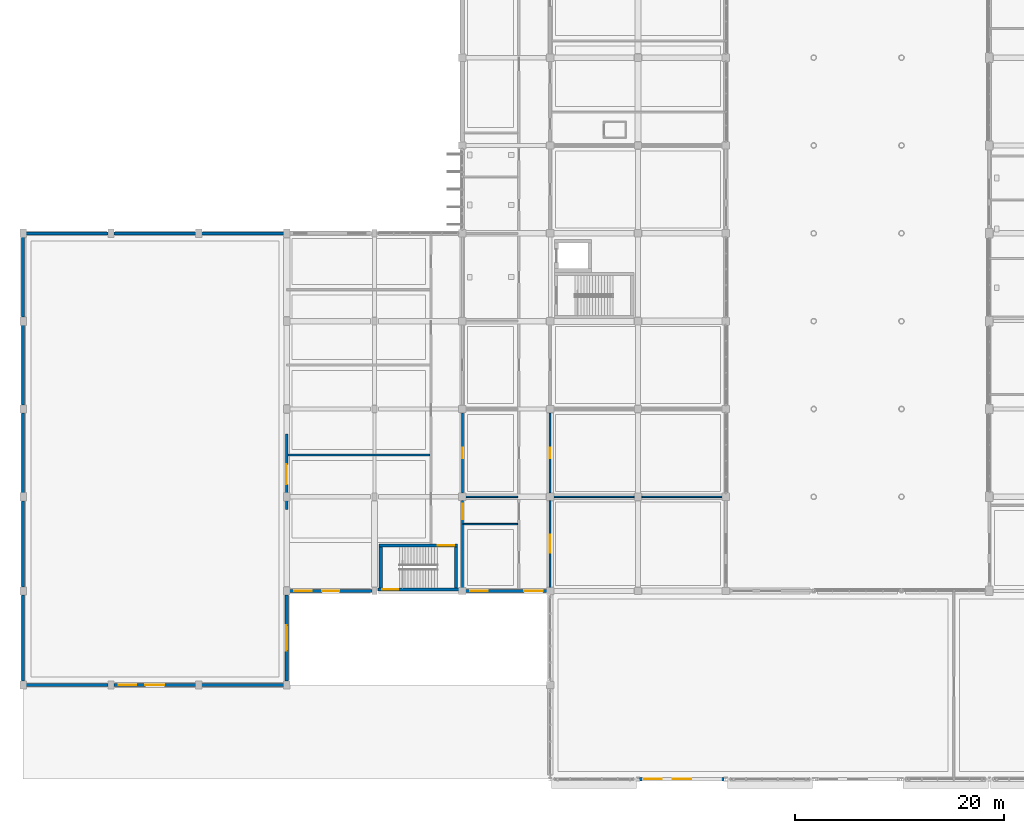
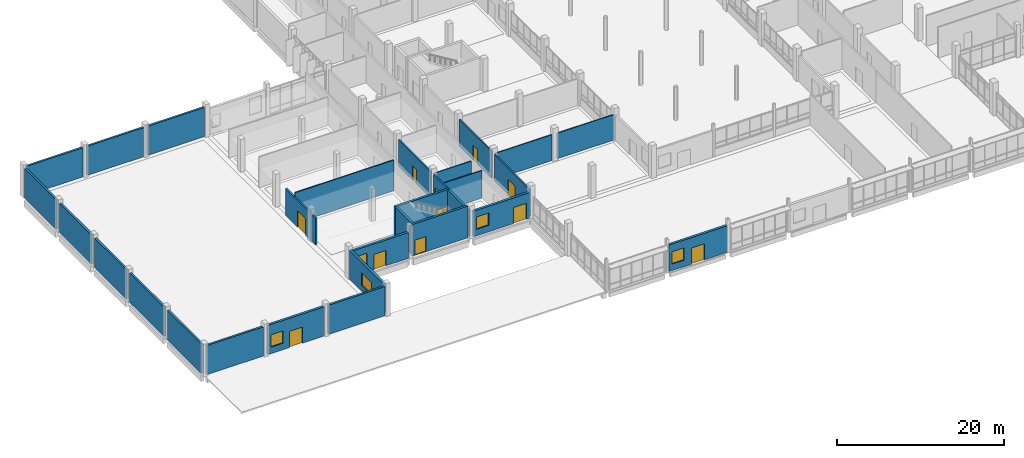
# One storey, part 74 of 95: 29 walls, 11 doors, 5 windows, 16 openings.
"""IFC4 building model written with IfcOpenShell, lengths in metres."""

from ifc_helpers import new_model, si_unit, direction, frame, frame_2d, origin, place, context, subcontext, project, spatial, rectangle, extrude, material, layer, layer_set, type_object, element, fill, save


model = new_model("IFC4")

# Units and contexts
model_context = context("Model", 3, precision=1e-05, world=origin(), true_north=direction((0.0, 1.0)))
body_context = subcontext(model_context, "Body", "Model", "MODEL_VIEW")
ifc_project = project(units=[si_unit("LENGTHUNIT", "METRE"), si_unit("AREAUNIT", "SQUARE_METRE"), si_unit("VOLUMEUNIT", "CUBIC_METRE"), si_unit("PLANEANGLEUNIT", "RADIAN"), si_unit("MASSUNIT", "GRAM", prefix="KILO")], contexts=[model_context])

# Site, building, storey
site_placement = place(None, origin())
site = spatial("IfcSite", under=ifc_project, at=site_placement, CompositionType="ELEMENT")
building_placement = place(site_placement, origin())
building = spatial("IfcBuilding", under=site, at=building_placement, Name="Vireocrest Preparatory School", CompositionType="ELEMENT")
storey_placement = place(building_placement, origin())
storey = spatial("IfcBuildingStorey", under=building, at=storey_placement, Name="L00", CompositionType="ELEMENT", Elevation=0.0)

# Walls
ifc_material_1 = material(Name="Gypsum board on cold-formed steel studs", Category="steel")
ifc_layer_1 = layer(ifc_material_1, 0.139892578125)
ifc_layer_set_1 = layer_set([ifc_layer_1], Name="Gypsum board on cold-formed steel studs")
wall_type_1 = type_object("IfcWallType", Name="Classroom Acoustic Partition Wall 140", PredefinedType="PARTITIONING", material=ifc_layer_set_1)
wall_1_placement = place(storey_placement, frame((42.10498046875, 24.39990234375, 0.0), z_axis=(0.0, 0.0, 1.0), x_axis=(1.0, 0.0, 0.0)))
element("IfcWall", 1, at=wall_1_placement, inside=storey, type_object=wall_type_1, Name="Interior Partition W03 IW_L00_0038", PredefinedType="PARTITIONING", context=body_context, shape_type="SweptSolid", body=[
    extrude(rectangle(XDim=5.18994140625, YDim=0.139892578125, at=frame_2d((2.594970703125, 0.0))), origin(), (0.0, 0.0, 1.0), 4.030029296875),
])
wall_2_placement = place(storey_placement, frame((42.10498046875, 27.0, 0.0), z_axis=(0.0, 0.0, 1.0), x_axis=(1.0, 0.0, 0.0)))
element("IfcWall", 2, at=wall_2_placement, inside=storey, type_object=wall_type_1, Name="Interior Partition W03 IW_L00_0039", PredefinedType="PARTITIONING", context=body_context, shape_type="SweptSolid", body=[
    extrude(rectangle(XDim=5.18994140625, YDim=0.139892578125, at=frame_2d((2.594970703125, 0.0))), origin(), (0.0, 0.0, 1.0), 3.830078125),
])
wall_3_placement = place(storey_placement, frame((50.5048828125, 27.0, 0.0), z_axis=(0.0, 0.0, 1.0), x_axis=(1.0, 0.0, 0.0)))
element("IfcWall", 3, at=wall_3_placement, inside=storey, type_object=wall_type_1, Name="Interior Partition W03 IW_L00_0051", PredefinedType="PARTITIONING", context=body_context, shape_type="SweptSolid", body=[
    extrude(rectangle(XDim=7.93505859375, YDim=0.139892578125, at=frame_2d((3.967529296875, 0.0))), origin(), (0.0, 0.0, 1.0), 3.780029296875),
])
wall_4_placement = place(storey_placement, frame((59.159912109375, 27.0, 0.0), z_axis=(0.0, 0.0, 1.0), x_axis=(1.0, 0.0, 0.0)))
element("IfcWall", 4, at=wall_4_placement, inside=storey, type_object=wall_type_1, Name="Interior Partition W03 IW_L00_0052", PredefinedType="PARTITIONING", context=body_context, shape_type="SweptSolid", body=[
    extrude(rectangle(XDim=7.9150390625, YDim=0.139892578125, at=frame_2d((3.95751953125, 0.0))), origin(), (0.0, 0.0, 1.0), 3.72998046875),
])

# Wall, opening, door
ifc_layer_2 = layer(ifc_material_1, 0.199951171875)
ifc_layer_set_2 = layer_set([ifc_layer_2], Name="Gypsum board on cold-formed steel studs")
wall_type_2 = type_object("IfcWallType", Name="Corridor One-Hour Fire Partition 200", PredefinedType="PARTITIONING", material=ifc_layer_set_2)
wall_5_placement = place(storey_placement, frame((42.0, 18.1650390625, 0.0), z_axis=(0.0, 0.0, 1.0), x_axis=(0.0, 1.0, 0.0)))
wall_5 = element("IfcWall", 5, at=wall_5_placement, inside=storey, type_object=wall_type_2, Name="Interior Partition W06 IW_L00_0047", PredefinedType="PARTITIONING", context=body_context, shape_type="SweptSolid", body=[
    extrude(rectangle(XDim=8.474853515625, YDim=0.199951171875, at=frame_2d((4.2373046875, 0.0))), origin(), (0.0, 0.0, 1.0), 3.8720703125),
])
opening_1_placement = place(wall_5_placement, frame((6.68505859375, 0.0, 0.0)))
opening_1 = element("IfcOpeningElement", 6, at=opening_1_placement, cuts=wall_5, Name="Opening D-L00-G6C", PredefinedType="OPENING", context=body_context, shape_type="SweptSolid", body=[
    extrude(rectangle(XDim=1.5, YDim=2.199951171875, at=frame_2d((0.75, 1.10009765625))), frame((0.0, 0.10986328125, 0.0), z_axis=(0.0, -1.0, 0.0), x_axis=(1.0, 0.0, 0.0)), (0.0, 0.0, 1.0), 0.219970703125),
])
ifc_material_2 = material(Name="Painted galvanized hollow steel", Category="steel")
door_type_1 = type_object("IfcDoorType", Name="Stair Enclosure Fire Door 1500x2200", OperationType="DOUBLE_DOOR_SINGLE_SWING", PredefinedType="DOOR", material=ifc_material_2)
door_1_placement = place(opening_1_placement, origin())
door_1 = element("IfcDoor", 7, at=door_1_placement, inside=storey, type_object=door_type_1, Name="Interior Door D-L00-G6C", OperationType="DOUBLE_DOOR_SINGLE_SWING", OverallHeight=2.199951171875, OverallWidth=1.5, PredefinedType="DOOR", context=body_context, shape_type="SweptSolid", body=[
    extrude(rectangle(XDim=1.5, YDim=2.199951171875, at=frame_2d((0.75, 1.10009765625))), frame((0.0, 0.02490234375, 0.0), z_axis=(0.0, -1.0, 0.0), x_axis=(1.0, 0.0, 0.0)), (0.0, 0.0, 1.0), 0.050048828125),
])
fill(opening_1, door_1)

wall_6_placement = place(storey_placement, frame((42.0, 27.360107421875, 0.0), z_axis=(0.0, 0.0, 1.0), x_axis=(0.0, 1.0, 0.0)))
wall_6 = element("IfcWall", 8, at=wall_6_placement, inside=storey, type_object=wall_type_2, Name="Interior Partition W06 IW_L00_0048", PredefinedType="PARTITIONING", context=body_context, shape_type="SweptSolid", body=[
    extrude(rectangle(XDim=7.679931640625, YDim=0.199951171875, at=frame_2d((3.83984375, 0.0))), origin(), (0.0, 0.0, 1.0), 3.912109375),
])
opening_2_placement = place(wall_6_placement, frame((3.340087890625, 0.0, 0.0)))
opening_2 = element("IfcOpeningElement", 9, at=opening_2_placement, cuts=wall_6, Name="Opening D-L00-G601", PredefinedType="OPENING", context=body_context, shape_type="SweptSolid", body=[
    extrude(rectangle(XDim=1.0, YDim=2.14990234375, at=frame_2d((0.5, 1.074951171875))), frame((0.0, 0.10986328125, 0.0), z_axis=(0.0, -1.0, 0.0), x_axis=(1.0, 0.0, 0.0)), (0.0, 0.0, 1.0), 0.219970703125),
])
ifc_material_3 = material(Name="Solid-core architectural birch timber", Category="wood")
door_type_2 = type_object("IfcDoorType", Name="Classroom Acoustic Timber Door 1000x2150", OperationType="NOTDEFINED", PredefinedType="DOOR", material=ifc_material_3)
door_2_placement = place(opening_2_placement, origin())
door_2 = element("IfcDoor", 10, at=door_2_placement, inside=storey, type_object=door_type_2, Name="Interior Door D-L00-G601", OperationType="SINGLE_SWING_RIGHT", OverallHeight=2.14990234375, OverallWidth=1.0, PredefinedType="DOOR", context=body_context, shape_type="SweptSolid", body=[
    extrude(rectangle(XDim=1.0, YDim=2.14990234375, at=frame_2d((0.5, 1.074951171875))), frame((0.0, 0.02490234375, 0.0), z_axis=(0.0, -1.0, 0.0), x_axis=(1.0, 0.0, 0.0)), (0.0, 0.0, 1.0), 0.050048828125),
])
fill(opening_2, door_2)

wall_7_placement = place(storey_placement, frame((50.39990234375, 18.1650390625, 0.0), z_axis=(0.0, 0.0, 1.0), x_axis=(0.0, 1.0, 0.0)))
wall_7 = element("IfcWall", 11, at=wall_7_placement, inside=storey, type_object=wall_type_2, Name="Interior Partition W06 IW_L00_0055", PredefinedType="PARTITIONING", context=body_context, shape_type="SweptSolid", body=[
    extrude(rectangle(XDim=8.474853515625, YDim=0.199951171875, at=frame_2d((4.2373046875, 0.0))), origin(), (0.0, 0.0, 1.0), 3.8798828125),
])
opening_3_placement = place(wall_7_placement, frame((3.485107421875, 0.0, 0.0)))
opening_3 = element("IfcOpeningElement", 12, at=opening_3_placement, cuts=wall_7, Name="Opening D-L00-WAE01", PredefinedType="OPENING", context=body_context, shape_type="SweptSolid", body=[
    extrude(rectangle(XDim=1.699951171875, YDim=2.25, at=frame_2d((0.85009765625, 1.125))), frame((0.0, 0.10986328125, 0.0), z_axis=(0.0, -1.0, 0.0), x_axis=(1.0, 0.0, 0.0)), (0.0, 0.0, 1.0), 0.219970703125),
])
door_type_3 = type_object("IfcDoorType", Name="Corridor Cross-Fire Double Door 1700x2250", OperationType="DOUBLE_DOOR_SINGLE_SWING", PredefinedType="DOOR", material=ifc_material_2)
door_3_placement = place(opening_3_placement, origin())
door_3 = element("IfcDoor", 13, at=door_3_placement, inside=storey, type_object=door_type_3, Name="Interior Door D-L00-WAE01", OperationType="DOUBLE_DOOR_SINGLE_SWING", OverallHeight=2.25, OverallWidth=1.699951171875, PredefinedType="DOOR", context=body_context, shape_type="SweptSolid", body=[
    extrude(rectangle(XDim=1.699951171875, YDim=2.25, at=frame_2d((0.85009765625, 1.125))), frame((0.0, 0.02490234375, 0.0), z_axis=(0.0, -1.0, 0.0), x_axis=(1.0, 0.0, 0.0)), (0.0, 0.0, 1.0), 0.050048828125),
])
fill(opening_3, door_3)

wall_8_placement = place(storey_placement, frame((50.39990234375, 27.360107421875, 0.0), z_axis=(0.0, 0.0, 1.0), x_axis=(0.0, 1.0, 0.0)))
wall_8 = element("IfcWall", 14, at=wall_8_placement, inside=storey, type_object=wall_type_2, Name="Interior Partition W06 IW_L00_0056", PredefinedType="PARTITIONING", context=body_context, shape_type="SweptSolid", body=[
    extrude(rectangle(XDim=7.679931640625, YDim=0.199951171875, at=frame_2d((3.83984375, 0.0))), origin(), (0.0, 0.0, 1.0), 3.9599609375),
])
opening_4_placement = place(wall_8_placement, frame((3.340087890625, 0.0, 0.0)))
opening_4 = element("IfcOpeningElement", 15, at=opening_4_placement, cuts=wall_8, Name="Opening D-L00-WAE02", PredefinedType="OPENING", context=body_context, shape_type="SweptSolid", body=[
    extrude(rectangle(XDim=1.0, YDim=2.14990234375, at=frame_2d((0.5, 1.074951171875))), frame((0.0, 0.10986328125, 0.0), z_axis=(0.0, -1.0, 0.0), x_axis=(1.0, 0.0, 0.0)), (0.0, 0.0, 1.0), 0.219970703125),
])
door_4_placement = place(opening_4_placement, origin())
door_4 = element("IfcDoor", 16, at=door_4_placement, inside=storey, type_object=door_type_2, Name="Interior Door D-L00-WAE02", OperationType="SINGLE_SWING_RIGHT", OverallHeight=2.14990234375, OverallWidth=1.0, PredefinedType="DOOR", context=body_context, shape_type="SweptSolid", body=[
    extrude(rectangle(XDim=1.0, YDim=2.14990234375, at=frame_2d((0.5, 1.074951171875))), frame((0.0, 0.02490234375, 0.0), z_axis=(0.0, -1.0, 0.0), x_axis=(1.0, 0.0, 0.0)), (0.0, 0.0, 1.0), 0.050048828125),
])
fill(opening_4, door_4)

# Wall, openings, door, window
ifc_material_4 = material(Name="Precast white concrete 40 MPa", Category="concrete")
ifc_layer_3 = layer(ifc_material_4, 0.320068359375)
ifc_layer_set_3 = layer_set([ifc_layer_3], Name="Precast white concrete 40 MPa")
wall_type_3 = type_object("IfcWallType", Name="High-Tech Insulated Rainscreen External Wall 320", PredefinedType="SOLIDWALL", material=ifc_layer_set_3)
wall_9_placement = place(storey_placement, frame((8.675048828125, 9.0, 0.0), z_axis=(0.0, 0.0, 1.0), x_axis=(1.0, 0.0, 0.0)))
wall_9 = element("IfcWall", 17, at=wall_9_placement, inside=storey, type_object=wall_type_3, Name="External Wall W12 EW_L00_0100", PredefinedType="SOLIDWALL", context=body_context, shape_type="SweptSolid", body=[
    extrude(rectangle(XDim=7.849853515625, YDim=0.320068359375, at=frame_2d((3.9248046875, 0.0))), origin(), (0.0, 0.0, 1.0), 4.26708984375),
])
opening_5_placement = place(wall_9_placement, frame((4.824951171875, 0.0, 0.0), z_axis=(0.0, 0.0, 1.0), x_axis=(-1.0, 0.0, 0.0)))
opening_5 = element("IfcOpeningElement", 18, at=opening_5_placement, cuts=wall_9, Name="Opening E7", PredefinedType="OPENING", context=body_context, shape_type="SweptSolid", body=[
    extrude(rectangle(XDim=1.800048828125, YDim=2.35009765625, at=frame_2d((0.89990234375, 1.175048828125))), frame((0.0, 0.169921875, 0.0), z_axis=(0.0, -1.0, 0.0), x_axis=(1.0, 0.0, 0.0)), (0.0, 0.0, 1.0), 0.340087890625),
])
opening_6_placement = place(wall_9_placement, frame((0.449951171875, 0.0, 0.949951171875)))
opening_6 = element("IfcOpeningElement", 19, at=opening_6_placement, cuts=wall_9, Name="Opening WN05", PredefinedType="OPENING", context=body_context, shape_type="SweptSolid", body=[
    extrude(rectangle(XDim=1.679931640625, YDim=1.800048828125, at=frame_2d((0.83984375, 0.89990234375))), frame((0.0, 0.169921875, 0.0), z_axis=(0.0, -1.0, 0.0), x_axis=(1.0, 0.0, 0.0)), (0.0, 0.0, 1.0), 0.340087890625),
])
ifc_material_5 = material(Name="Thermally broken glazed aluminium", Category="aluminium")
door_type_4 = type_object("IfcDoorType", Name="Campus Final Exit Double Door 1800x2350", OperationType="DOUBLE_DOOR_SINGLE_SWING", PredefinedType="DOOR", material=ifc_material_5)
door_5_placement = place(opening_5_placement, origin())
door_5 = element("IfcDoor", 20, at=door_5_placement, inside=storey, type_object=door_type_4, Name="Final Exit E7 Sports Hall South", OperationType="DOUBLE_DOOR_SINGLE_SWING", OverallHeight=2.35009765625, OverallWidth=1.800048828125, PredefinedType="DOOR", context=body_context, shape_type="SweptSolid", body=[
    extrude(rectangle(XDim=1.800048828125, YDim=2.35009765625, at=frame_2d((0.89990234375, 1.175048828125))), frame((0.0, 0.02490234375, 0.0), z_axis=(0.0, -1.0, 0.0), x_axis=(1.0, 0.0, 0.0)), (0.0, 0.0, 1.0), 0.050048828125),
])
fill(opening_5, door_5)
ifc_material_6 = material(Name="Thermally broken aluminium EN AW-6063-T6", Category="aluminium")
window_type_1 = type_object("IfcWindowType", Name="Module Classroom Window 1680x1800", PartitioningType="SINGLE_PANEL", PredefinedType="WINDOW", material=ifc_material_6)
window_1_placement = place(opening_6_placement, origin())
window_1 = element("IfcWindow", 21, at=window_1_placement, inside=storey, type_object=window_type_1, Name="Window W-L00-024 (WN05)", OverallHeight=1.800048828125, OverallWidth=1.679931640625, PartitioningType="SINGLE_PANEL", PredefinedType="WINDOW", context=body_context, shape_type="SweptSolid", body=[
    extrude(rectangle(XDim=1.679931640625, YDim=1.800048828125, at=frame_2d((0.83984375, 0.89990234375))), frame((0.0, 0.030029296875, 0.0), z_axis=(0.0, -1.0, 0.0), x_axis=(1.0, 0.0, 0.0)), (0.0, 0.0, 1.0), 0.06005859375),
])
fill(opening_6, window_1)

# Wall, opening, window
wall_10_placement = place(storey_placement, frame((25.199951171875, 9.375, 0.0), z_axis=(0.0, 0.0, 1.0), x_axis=(0.0, 1.0, 0.0)))
wall_10 = element("IfcWall", 22, at=wall_10_placement, inside=storey, type_object=wall_type_3, Name="External Wall W12 EW_L00_0102", PredefinedType="SOLIDWALL", context=body_context, shape_type="SweptSolid", body=[
    extrude(rectangle(XDim=8.25, YDim=0.320068359375, at=frame_2d((4.125, 0.0))), origin(), (0.0, 0.0, 1.0), 4.26708984375),
])
opening_7_placement = place(wall_10_placement, frame((2.925048828125, 0.0, 0.89990234375)))
opening_7 = element("IfcOpeningElement", 23, at=opening_7_placement, cuts=wall_10, Name="Opening WN12", PredefinedType="OPENING", context=body_context, shape_type="SweptSolid", body=[
    extrude(rectangle(XDim=2.39990234375, YDim=1.800048828125, at=frame_2d((1.199951171875, 0.89990234375))), frame((0.0, 0.169921875, 0.0), z_axis=(0.0, -1.0, 0.0), x_axis=(1.0, 0.0, 0.0)), (0.0, 0.0, 1.0), 0.340087890625),
])
window_type_2 = type_object("IfcWindowType", Name="Classroom Paired Window 2400x1800", PartitioningType="DOUBLE_PANEL_VERTICAL", PredefinedType="WINDOW", material=ifc_material_6)
window_2_placement = place(opening_7_placement, origin())
window_2 = element("IfcWindow", 24, at=window_2_placement, inside=storey, type_object=window_type_2, Name="Window W-L00-025 (WN12)", OverallHeight=1.800048828125, OverallWidth=2.39990234375, PartitioningType="SINGLE_PANEL", PredefinedType="WINDOW", context=body_context, shape_type="SweptSolid", body=[
    extrude(rectangle(XDim=2.39990234375, YDim=1.800048828125, at=frame_2d((1.199951171875, 0.89990234375))), frame((0.0, 0.030029296875, 0.0), z_axis=(0.0, -1.0, 0.0), x_axis=(1.0, 0.0, 0.0)), (0.0, 0.0, 1.0), 0.06005859375),
])
fill(opening_7, window_2)

# Wall, openings, window, door
wall_11_placement = place(storey_placement, frame((25.47509765625, 18.0, 0.0), z_axis=(0.0, 0.0, 1.0), x_axis=(1.0, 0.0, 0.0)))
wall_11 = element("IfcWall", 25, at=wall_11_placement, inside=storey, type_object=wall_type_3, Name="External Wall W12 EW_L00_0103", PredefinedType="SOLIDWALL", context=body_context, shape_type="SweptSolid", body=[
    extrude(rectangle(XDim=7.89990234375, YDim=0.320068359375, at=frame_2d((3.949951171875, 0.0))), origin(), (0.0, 0.0, 1.0), 3.77001953125),
])
opening_8_placement = place(wall_11_placement, frame((4.77490234375, 0.0, 0.0), z_axis=(0.0, 0.0, 1.0), x_axis=(-1.0, 0.0, 0.0)))
opening_8 = element("IfcOpeningElement", 26, at=opening_8_placement, cuts=wall_11, Name="Opening ED5", PredefinedType="OPENING", context=body_context, shape_type="SweptSolid", body=[
    extrude(rectangle(XDim=1.64990234375, YDim=2.25, at=frame_2d((0.824951171875, 1.125))), frame((0.0, 0.169921875, 0.0), z_axis=(0.0, -1.0, 0.0), x_axis=(1.0, 0.0, 0.0)), (0.0, 0.0, 1.0), 0.340087890625),
])
opening_9_placement = place(wall_11_placement, frame((0.449951171875, 0.0, 0.949951171875)))
opening_9 = element("IfcOpeningElement", 27, at=opening_9_placement, cuts=wall_11, Name="Opening WN05", PredefinedType="OPENING", context=body_context, shape_type="SweptSolid", body=[
    extrude(rectangle(XDim=1.679931640625, YDim=1.800048828125, at=frame_2d((0.83984375, 0.89990234375))), frame((0.0, 0.169921875, 0.0), z_axis=(0.0, -1.0, 0.0), x_axis=(1.0, 0.0, 0.0)), (0.0, 0.0, 1.0), 0.340087890625),
])
window_3_placement = place(opening_9_placement, origin())
window_3 = element("IfcWindow", 28, at=window_3_placement, inside=storey, type_object=window_type_1, Name="Window W-L00-026 (WN05)", OverallHeight=1.800048828125, OverallWidth=1.679931640625, PartitioningType="SINGLE_PANEL", PredefinedType="WINDOW", context=body_context, shape_type="SweptSolid", body=[
    extrude(rectangle(XDim=1.679931640625, YDim=1.800048828125, at=frame_2d((0.83984375, 0.89990234375))), frame((0.0, 0.030029296875, 0.0), z_axis=(0.0, -1.0, 0.0), x_axis=(1.0, 0.0, 0.0)), (0.0, 0.0, 1.0), 0.06005859375),
])
fill(opening_9, window_3)
door_type_5 = type_object("IfcDoorType", Name="Stair Discharge Exterior Fire Exit Door 1650x2250", OperationType="DOUBLE_DOOR_SINGLE_SWING", PredefinedType="DOOR", material=ifc_material_2)
door_6_placement = place(opening_8_placement, origin())
door_6 = element("IfcDoor", 29, at=door_6_placement, inside=storey, type_object=door_type_5, Name="Final Exit ED5 Sports Lobby South", OperationType="DOUBLE_DOOR_SINGLE_SWING", OverallHeight=2.25, OverallWidth=1.64990234375, PredefinedType="DOOR", context=body_context, shape_type="SweptSolid", body=[
    extrude(rectangle(XDim=1.64990234375, YDim=2.25, at=frame_2d((0.824951171875, 1.125))), frame((0.0, 0.02490234375, 0.0), z_axis=(0.0, -1.0, 0.0), x_axis=(1.0, 0.0, 0.0)), (0.0, 0.0, 1.0), 0.050048828125),
])
fill(opening_8, door_6)

# Wall, openings, door, window
wall_12_placement = place(storey_placement, frame((42.324951171875, 18.0, 0.0), z_axis=(0.0, 0.0, 1.0), x_axis=(1.0, 0.0, 0.0)))
wall_12 = element("IfcWall", 30, at=wall_12_placement, inside=storey, type_object=wall_type_3, Name="External Wall W12 EW_L00_0104", PredefinedType="SOLIDWALL", context=body_context, shape_type="SweptSolid", body=[
    extrude(rectangle(XDim=7.75, YDim=0.320068359375, at=frame_2d((3.875, 0.0))), origin(), (0.0, 0.0, 1.0), 3.72998046875),
])
opening_10_placement = place(wall_12_placement, frame((7.375, 0.0, 0.0), z_axis=(0.0, 0.0, 1.0), x_axis=(-1.0, 0.0, 0.0)))
opening_10 = element("IfcOpeningElement", 31, at=opening_10_placement, cuts=wall_12, Name="Opening E5", PredefinedType="OPENING", context=body_context, shape_type="SweptSolid", body=[
    extrude(rectangle(XDim=1.800048828125, YDim=2.35009765625, at=frame_2d((0.89990234375, 1.175048828125))), frame((0.0, 0.169921875, 0.0), z_axis=(0.0, -1.0, 0.0), x_axis=(1.0, 0.0, 0.0)), (0.0, 0.0, 1.0), 0.340087890625),
])
opening_11_placement = place(wall_12_placement, frame((0.449951171875, 0.0, 0.949951171875)))
opening_11 = element("IfcOpeningElement", 32, at=opening_11_placement, cuts=wall_12, Name="Opening WN05", PredefinedType="OPENING", context=body_context, shape_type="SweptSolid", body=[
    extrude(rectangle(XDim=1.679931640625, YDim=1.800048828125, at=frame_2d((0.83984375, 0.89990234375))), frame((0.0, 0.169921875, 0.0), z_axis=(0.0, -1.0, 0.0), x_axis=(1.0, 0.0, 0.0)), (0.0, 0.0, 1.0), 0.340087890625),
])
door_7_placement = place(opening_10_placement, origin())
door_7 = element("IfcDoor", 33, at=door_7_placement, inside=storey, type_object=door_type_4, Name="Final Exit E5 West Academic South", OperationType="DOUBLE_DOOR_SINGLE_SWING", OverallHeight=2.35009765625, OverallWidth=1.800048828125, PredefinedType="DOOR", context=body_context, shape_type="SweptSolid", body=[
    extrude(rectangle(XDim=1.800048828125, YDim=2.35009765625, at=frame_2d((0.89990234375, 1.175048828125))), frame((0.0, 0.02490234375, 0.0), z_axis=(0.0, -1.0, 0.0), x_axis=(1.0, 0.0, 0.0)), (0.0, 0.0, 1.0), 0.050048828125),
])
fill(opening_10, door_7)
window_4_placement = place(opening_11_placement, origin())
window_4 = element("IfcWindow", 34, at=window_4_placement, inside=storey, type_object=window_type_1, Name="Window W-L00-027 (WN05)", OverallHeight=1.800048828125, OverallWidth=1.679931640625, PartitioningType="SINGLE_PANEL", PredefinedType="WINDOW", context=body_context, shape_type="SweptSolid", body=[
    extrude(rectangle(XDim=1.679931640625, YDim=1.800048828125, at=frame_2d((0.83984375, 0.89990234375))), frame((0.0, 0.030029296875, 0.0), z_axis=(0.0, -1.0, 0.0), x_axis=(1.0, 0.0, 0.0)), (0.0, 0.0, 1.0), 0.06005859375),
])
fill(opening_11, window_4)

wall_13_placement = place(storey_placement, frame((58.95947265625, 0.0, 0.0), z_axis=(0.0, 0.0, 1.0), x_axis=(1.0, 0.0, 0.0)))
wall_13 = element("IfcWall", 35, at=wall_13_placement, inside=storey, type_object=wall_type_3, Name="External Wall W12 EW_L00_0108", PredefinedType="SOLIDWALL", context=body_context, shape_type="SweptSolid", body=[
    extrude(rectangle(XDim=8.0810546875, YDim=0.320068359375, at=frame_2d((4.04052734375, 0.0))), origin(), (0.0, 0.0, 1.0), 3.876953125),
])
opening_12_placement = place(wall_13_placement, frame((4.9404296875, 0.0, 0.0), z_axis=(0.0, 0.0, 1.0), x_axis=(-1.0, 0.0, 0.0)))
opening_12 = element("IfcOpeningElement", 36, at=opening_12_placement, cuts=wall_13, Name="Opening E3", PredefinedType="OPENING", context=body_context, shape_type="SweptSolid", body=[
    extrude(rectangle(XDim=1.800048828125, YDim=2.35009765625, at=frame_2d((0.89990234375, 1.175048828125))), frame((0.0, 0.169921875, 0.0), z_axis=(0.0, -1.0, 0.0), x_axis=(1.0, 0.0, 0.0)), (0.0, 0.0, 1.0), 0.340087890625),
])
opening_13_placement = place(wall_13_placement, frame((0.449951171875, 0.0, 0.949951171875)))
opening_13 = element("IfcOpeningElement", 37, at=opening_13_placement, cuts=wall_13, Name="Opening WN05", PredefinedType="OPENING", context=body_context, shape_type="SweptSolid", body=[
    extrude(rectangle(XDim=1.679931640625, YDim=1.800048828125, at=frame_2d((0.83984375, 0.89990234375))), frame((0.0, 0.169921875, 0.0), z_axis=(0.0, -1.0, 0.0), x_axis=(1.0, 0.0, 0.0)), (0.0, 0.0, 1.0), 0.340087890625),
])
door_8_placement = place(opening_12_placement, origin())
door_8 = element("IfcDoor", 38, at=door_8_placement, inside=storey, type_object=door_type_4, Name="Final Exit E3 Dining South West", OperationType="DOUBLE_DOOR_SINGLE_SWING", OverallHeight=2.35009765625, OverallWidth=1.800048828125, PredefinedType="DOOR", context=body_context, shape_type="SweptSolid", body=[
    extrude(rectangle(XDim=1.800048828125, YDim=2.35009765625, at=frame_2d((0.89990234375, 1.175048828125))), frame((0.0, 0.02490234375, 0.0), z_axis=(0.0, -1.0, 0.0), x_axis=(1.0, 0.0, 0.0)), (0.0, 0.0, 1.0), 0.050048828125),
])
fill(opening_12, door_8)
window_5_placement = place(opening_13_placement, origin())
window_5 = element("IfcWindow", 39, at=window_5_placement, inside=storey, type_object=window_type_1, Name="Window W-L00-028 (WN05)", OverallHeight=1.800048828125, OverallWidth=1.679931640625, PartitioningType="SINGLE_PANEL", PredefinedType="WINDOW", context=body_context, shape_type="SweptSolid", body=[
    extrude(rectangle(XDim=1.679931640625, YDim=1.800048828125, at=frame_2d((0.83984375, 0.89990234375))), frame((0.0, 0.030029296875, 0.0), z_axis=(0.0, -1.0, 0.0), x_axis=(1.0, 0.0, 0.0)), (0.0, 0.0, 1.0), 0.06005859375),
])
fill(opening_13, window_5)

# Walls
ifc_layer_4 = layer(ifc_material_4, 0.280029296875)
ifc_layer_set_4 = layer_set([ifc_layer_4], Name="Precast white concrete 40 MPa")
wall_type_4 = type_object("IfcWallType", Name="Insulated Hall Precast Cladding Wall 280", PredefinedType="SOLIDWALL", material=ifc_layer_set_4)
wall_14_placement = place(storey_placement, frame((0.27490234375, 52.199951171875, 0.0), z_axis=(0.0, 0.0, 1.0), x_axis=(1.0, 0.0, 0.0)))
element("IfcWall", 40, at=wall_14_placement, inside=storey, type_object=wall_type_4, Name="External Wall W10 EW_L00_0091", PredefinedType="SOLIDWALL", context=body_context, shape_type="SweptSolid", body=[
    extrude(rectangle(XDim=7.85009765625, YDim=0.280029296875, at=frame_2d((3.925048828125, 0.0))), origin(), (0.0, 0.0, 1.0), 4.26708984375),
])
wall_15_placement = place(storey_placement, frame((8.675048828125, 52.199951171875, 0.0), z_axis=(0.0, 0.0, 1.0), x_axis=(1.0, 0.0, 0.0)))
element("IfcWall", 41, at=wall_15_placement, inside=storey, type_object=wall_type_4, Name="External Wall W10 EW_L00_0092", PredefinedType="SOLIDWALL", context=body_context, shape_type="SweptSolid", body=[
    extrude(rectangle(XDim=7.849853515625, YDim=0.280029296875, at=frame_2d((3.9248046875, 0.0))), origin(), (0.0, 0.0, 1.0), 4.26708984375),
])
wall_16_placement = place(storey_placement, frame((17.074951171875, 52.199951171875, 0.0), z_axis=(0.0, 0.0, 1.0), x_axis=(1.0, 0.0, 0.0)))
element("IfcWall", 42, at=wall_16_placement, inside=storey, type_object=wall_type_4, Name="External Wall W10 EW_L00_0093", PredefinedType="SOLIDWALL", context=body_context, shape_type="SweptSolid", body=[
    extrude(rectangle(XDim=7.85009765625, YDim=0.280029296875, at=frame_2d((3.925048828125, 0.0))), origin(), (0.0, 0.0, 1.0), 4.26708984375),
])
for number, where, z_axis, x_axis, name in (
    (43, (0.0, 9.375, 0.0), (0.0, 0.0, 1.0), (0.0, 1.0, 0.0), "External Wall W10 EW_L00_0094"),
    (44, (0.0, 18.375, 0.0), (0.0, 0.0, 1.0), (0.0, 1.0, 0.0), "External Wall W10 EW_L00_0095"),
):
    element("IfcWall", number, at=place(storey_placement, frame(where, z_axis=z_axis, x_axis=x_axis)), inside=storey, type_object=wall_type_4, Name=name, PredefinedType="SOLIDWALL", context=body_context, shape_type="SweptSolid", body=[
        extrude(rectangle(XDim=8.25, YDim=0.280029296875, at=frame_2d((4.125, 0.0))), origin(), (0.0, 0.0, 1.0), 4.26708984375),
    ])
wall_17_placement = place(storey_placement, frame((0.0, 27.375, 0.0), z_axis=(0.0, 0.0, 1.0), x_axis=(0.0, 1.0, 0.0)))
element("IfcWall", 45, at=wall_17_placement, inside=storey, type_object=wall_type_4, Name="External Wall W10 EW_L00_0096", PredefinedType="SOLIDWALL", context=body_context, shape_type="SweptSolid", body=[
    extrude(rectangle(XDim=7.64990234375, YDim=0.280029296875, at=frame_2d((3.824951171875, 0.0))), origin(), (0.0, 0.0, 1.0), 4.26708984375),
])
wall_18_placement = place(storey_placement, frame((0.0, 35.77490234375, 0.0), z_axis=(0.0, 0.0, 1.0), x_axis=(0.0, 1.0, 0.0)))
element("IfcWall", 46, at=wall_18_placement, inside=storey, type_object=wall_type_4, Name="External Wall W10 EW_L00_0097", PredefinedType="SOLIDWALL", context=body_context, shape_type="SweptSolid", body=[
    extrude(rectangle(XDim=7.650146484375, YDim=0.280029296875, at=frame_2d((3.8251953125, 0.0))), origin(), (0.0, 0.0, 1.0), 4.26708984375),
])
wall_19_placement = place(storey_placement, frame((0.0, 44.175048828125, 0.0), z_axis=(0.0, 0.0, 1.0), x_axis=(0.0, 1.0, 0.0)))
element("IfcWall", 47, at=wall_19_placement, inside=storey, type_object=wall_type_4, Name="External Wall W10 EW_L00_0098", PredefinedType="SOLIDWALL", context=body_context, shape_type="SweptSolid", body=[
    extrude(rectangle(XDim=7.64990234375, YDim=0.280029296875, at=frame_2d((3.824951171875, 0.0))), origin(), (0.0, 0.0, 1.0), 4.26708984375),
])
for number, where, z_axis, x_axis, name in (
    (48, (0.27490234375, 9.0, 0.0), (0.0, 0.0, 1.0), (1.0, 0.0, 0.0), "External Wall W10 EW_L00_0099"),
    (49, (17.074951171875, 9.0, 0.0), (0.0, 0.0, 1.0), (1.0, 0.0, 0.0), "External Wall W10 EW_L00_0101"),
):
    element("IfcWall", number, at=place(storey_placement, frame(where, z_axis=z_axis, x_axis=x_axis)), inside=storey, type_object=wall_type_4, Name=name, PredefinedType="SOLIDWALL", context=body_context, shape_type="SweptSolid", body=[
        extrude(rectangle(XDim=7.85009765625, YDim=0.280029296875, at=frame_2d((3.925048828125, 0.0))), origin(), (0.0, 0.0, 1.0), 4.26708984375),
    ])

# Wall, opening, door
ifc_material_7 = material(Name="Acoustic concrete masonry unitwork", Category="masonry")
ifc_layer_5 = layer(ifc_material_7, 0.219970703125)
ifc_layer_set_5 = layer_set([ifc_layer_5], Name="Acoustic concrete masonry unitwork")
wall_type_5 = type_object("IfcWallType", Name="Internal Acoustic Masonry Wall 220", PredefinedType="SOLIDWALL", material=ifc_layer_set_5)
wall_20_placement = place(storey_placement, frame((25.199951171875, 25.800048828125, 0.0), z_axis=(0.0, 0.0, 1.0), x_axis=(0.0, 1.0, 0.0)))
wall_20 = element("IfcWall", 50, at=wall_20_placement, inside=storey, type_object=wall_type_5, Name="Sports Hall Acoustic Entry Wall W07-1", PredefinedType="SOLIDWALL", context=body_context, shape_type="SweptSolid", body=[
    extrude(rectangle(XDim=7.199951171875, YDim=0.219970703125, at=frame_2d((3.60009765625, 0.0))), origin(), (0.0, 0.0, 1.0), 3.912109375),
])
opening_14_placement = place(wall_20_placement, frame((2.39990234375, 0.0, 0.0)))
opening_14 = element("IfcOpeningElement", 51, at=opening_14_placement, cuts=wall_20, Name="Opening D-L00-SH1", PredefinedType="OPENING", context=body_context, shape_type="SweptSolid", body=[
    extrude(rectangle(XDim=1.89990234375, YDim=2.39990234375, at=frame_2d((0.949951171875, 1.199951171875))), frame((0.0, 0.119873046875, 0.0), z_axis=(0.0, -1.0, 0.0), x_axis=(1.0, 0.0, 0.0)), (0.0, 0.0, 1.0), 0.239990234375),
])
door_type_6 = type_object("IfcDoorType", Name="Sports Hall Double Door 1900x2400", OperationType="DOUBLE_DOOR_SINGLE_SWING", PredefinedType="DOOR", material=ifc_material_2)
door_9_placement = place(opening_14_placement, origin())
door_9 = element("IfcDoor", 52, at=door_9_placement, inside=storey, type_object=door_type_6, Name="Sports Hall Main Double Door D-L00-SH1", OperationType="DOUBLE_DOOR_SINGLE_SWING", OverallHeight=2.39990234375, OverallWidth=1.89990234375, PredefinedType="DOOR", context=body_context, shape_type="SweptSolid", body=[
    extrude(rectangle(XDim=1.89990234375, YDim=2.39990234375, at=frame_2d((0.949951171875, 1.199951171875))), frame((0.0, 0.02490234375, 0.0), z_axis=(0.0, -1.0, 0.0), x_axis=(1.0, 0.0, 0.0)), (0.0, 0.0, 1.0), 0.050048828125),
])
fill(opening_14, door_9)

# Wall
ifc_layer_6 = layer(ifc_material_1, 0.159912109375)
ifc_layer_set_6 = layer_set([ifc_layer_6], Name="Gypsum board on cold-formed steel studs")
wall_type_6 = type_object("IfcWallType", Name="Laboratory Wet-Service Partition Wall 160", PredefinedType="PARTITIONING", material=ifc_layer_set_6)
wall_21_placement = place(storey_placement, frame((25.2099609375, 31.0, 0.0), z_axis=(0.0, 0.0, 1.0), x_axis=(1.0, 0.0, 0.0)))
element("IfcWall", 53, at=wall_21_placement, inside=storey, type_object=wall_type_6, Name="Interior Partition W04 IW_L00_0034", PredefinedType="PARTITIONING", context=body_context, shape_type="SweptSolid", body=[
    extrude(rectangle(XDim=13.68505859375, YDim=0.159912109375, at=frame_2d((6.842529296875, 0.0))), origin(), (0.0, 0.0, 1.0), 4.5),
])

# Wall, opening, door
ifc_material_8 = material(Name="Concrete 45 MPa", Category="concrete")
ifc_layer_7 = layer(ifc_material_8, 0.300048828125)
ifc_layer_set_7 = layer_set([ifc_layer_7], Name="Concrete 45 MPa")
wall_type_7 = type_object("IfcWallType", Name="Two-Hour RC Stair Shaft Shear Wall 300", PredefinedType="SHEAR", material=ifc_layer_set_7)
wall_22_placement = place(storey_placement, frame((33.925048828125, 18.14990234375, 0.0), z_axis=(0.0, 0.0, 1.0), x_axis=(1.0, 0.0, 0.0)))
wall_22 = element("IfcWall", 54, at=wall_22_placement, inside=storey, type_object=wall_type_7, Name="Stair Core Shear Wall ST5 L00-S", PredefinedType="SHEAR", context=body_context, shape_type="SweptSolid", body=[
    extrude(rectangle(XDim=7.75, YDim=0.300048828125, at=frame_2d((3.875, 0.0))), origin(), (0.0, 0.0, 1.0), 4.625),
])
opening_15_placement = place(wall_22_placement, frame((1.925048828125, 0.0, 0.0), z_axis=(0.0, 0.0, 1.0), x_axis=(-1.0, 0.0, 0.0)))
opening_15 = element("IfcOpeningElement", 55, at=opening_15_placement, cuts=wall_22, Name="Opening ED7", PredefinedType="OPENING", context=body_context, shape_type="SweptSolid", body=[
    extrude(rectangle(XDim=1.5, YDim=2.199951171875, at=frame_2d((0.75, 1.10009765625))), frame((0.0, 0.159912109375, 0.0), z_axis=(0.0, -1.0, 0.0), x_axis=(1.0, 0.0, 0.0)), (0.0, 0.0, 1.0), 0.320068359375),
])
door_type_7 = type_object("IfcDoorType", Name="Bicycle Hub Exterior Double Door 1500x2350", OperationType="DOUBLE_DOOR_SINGLE_SWING", PredefinedType="DOOR", material=ifc_material_5)
door_10_placement = place(opening_15_placement, origin())
door_10 = element("IfcDoor", 56, at=door_10_placement, inside=storey, type_object=door_type_7, Name="Final Exit ED7 Stair ST5 Direct Exterior Discharge", OperationType="DOUBLE_DOOR_SINGLE_SWING", OverallHeight=2.199951171875, OverallWidth=1.5, PredefinedType="DOOR", context=body_context, shape_type="SweptSolid", body=[
    extrude(rectangle(XDim=1.5, YDim=2.199951171875, at=frame_2d((0.75, 1.10009765625))), frame((0.0, 0.02490234375, 0.0), z_axis=(0.0, -1.0, 0.0), x_axis=(1.0, 0.0, 0.0)), (0.0, 0.0, 1.0), 0.050048828125),
])
fill(opening_15, door_10)

wall_23_placement = place(storey_placement, frame((34.050048828125, 22.35009765625, 0.0), z_axis=(0.0, 0.0, 1.0), x_axis=(1.0, 0.0, 0.0)))
wall_23 = element("IfcWall", 57, at=wall_23_placement, inside=storey, type_object=wall_type_7, Name="Stair Core Shear Wall ST5 L00-N", PredefinedType="SHEAR", context=body_context, shape_type="SweptSolid", body=[
    extrude(rectangle(XDim=7.5, YDim=0.300048828125, at=frame_2d((3.75, 0.0))), origin(), (0.0, 0.0, 1.0), 4.625),
])
opening_16_placement = place(wall_23_placement, frame((5.60009765625, 0.0, 0.0)))
opening_16 = element("IfcOpeningElement", 58, at=opening_16_placement, cuts=wall_23, Name="Opening SD-ST5-L00", PredefinedType="OPENING", context=body_context, shape_type="SweptSolid", body=[
    extrude(rectangle(XDim=1.60009765625, YDim=2.199951171875, at=frame_2d((0.800048828125, 1.10009765625))), frame((0.0, 0.159912109375, 0.0), z_axis=(0.0, -1.0, 0.0), x_axis=(1.0, 0.0, 0.0)), (0.0, 0.0, 1.0), 0.320068359375),
])
door_type_8 = type_object("IfcDoorType", Name="Stair Core Lobby Fire Door 1600x2200", OperationType="DOUBLE_DOOR_SINGLE_SWING", PredefinedType="DOOR", material=ifc_material_2)
door_11_placement = place(opening_16_placement, origin())
door_11 = element("IfcDoor", 59, at=door_11_placement, inside=storey, type_object=door_type_8, Name="Stair Enclosure Fire Door SD-ST5-L00", OperationType="DOUBLE_DOOR_SINGLE_SWING", OverallHeight=2.199951171875, OverallWidth=1.60009765625, PredefinedType="DOOR", context=body_context, shape_type="SweptSolid", body=[
    extrude(rectangle(XDim=1.60009765625, YDim=2.199951171875, at=frame_2d((0.800048828125, 1.10009765625))), frame((0.0, 0.02490234375, 0.0), z_axis=(0.0, -1.0, 0.0), x_axis=(1.0, 0.0, 0.0)), (0.0, 0.0, 1.0), 0.050048828125),
])
fill(opening_16, door_11)

# Walls
for number, where, z_axis, x_axis, name in (
    (60, (34.199951171875, 18.300048828125, 0.0), (0.0, 0.0, 1.0), (0.0, 1.0, 0.0), "Stair Core Shear Wall ST5 L00-W"),
    (61, (41.39990234375, 18.300048828125, 0.0), (0.0, 0.0, 1.0), (0.0, 1.0, 0.0), "Stair Core Shear Wall ST5 L00-E"),
):
    element("IfcWall", number, at=place(storey_placement, frame(where, z_axis=z_axis, x_axis=x_axis)), inside=storey, type_object=wall_type_7, Name=name, PredefinedType="SHEAR", context=body_context, shape_type="SweptSolid", body=[
        extrude(rectangle(XDim=3.89990234375, YDim=0.300048828125, at=frame_2d((1.949951171875, 0.0))), origin(), (0.0, 0.0, 1.0), 4.625),
    ])

save(model, "model.ifc")
